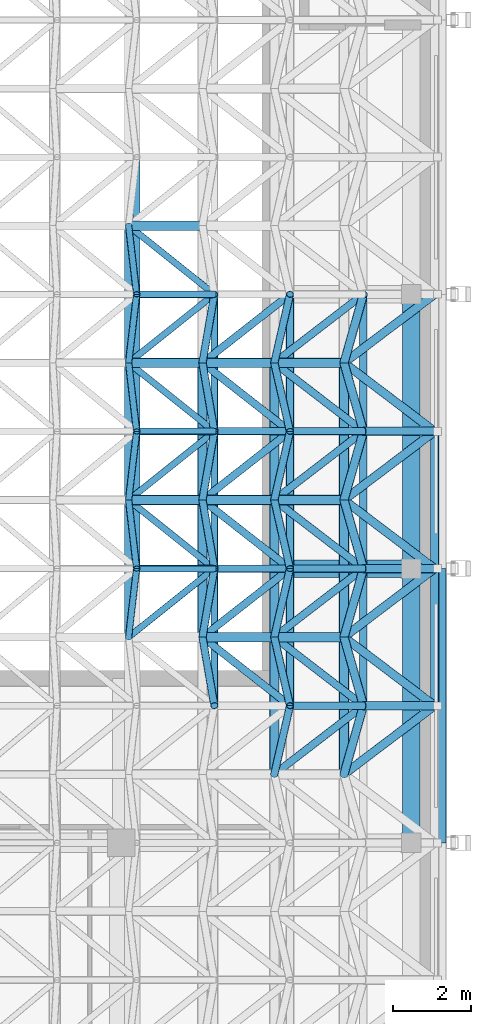
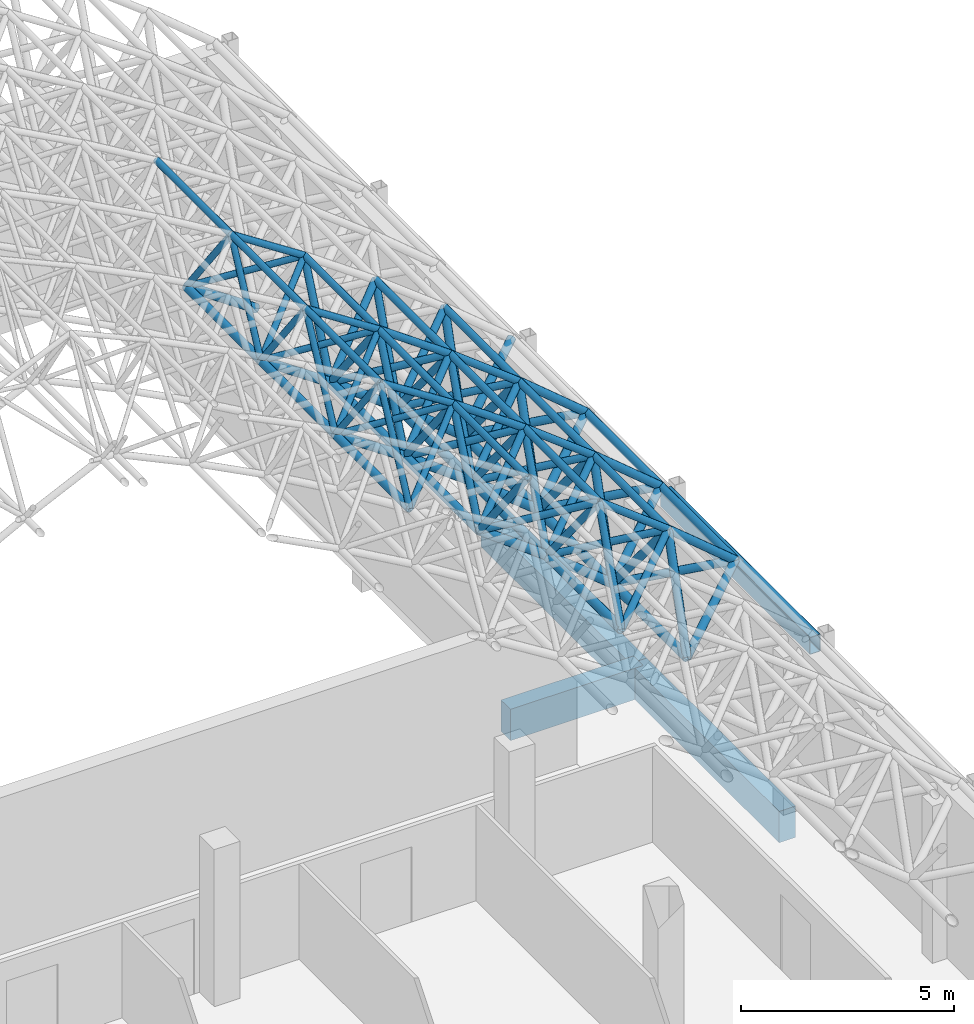
# One storey, part 49 of 141: 97 members, 4 beams.
"""IFC4 building model written with IfcOpenShell, lengths in metres."""

from ifc_helpers import new_model, si_unit, direction, frame, origin, origin_2d, place, context, subcontext, project, spatial, rectangle, hollow_rectangle, hollow_circle, extrude, material, material_profile, profile_set, type_object, element, save


model = new_model("IFC4")

# Units and contexts
model_context = context("Model", 3, precision=1e-05, world=origin(), true_north=direction((0.0, 1.0)))
body_context = subcontext(model_context, "Body", "Model", "MODEL_VIEW")
ifc_project = project(units=[si_unit("LENGTHUNIT", "METRE"), si_unit("AREAUNIT", "SQUARE_METRE"), si_unit("VOLUMEUNIT", "CUBIC_METRE"), si_unit("PLANEANGLEUNIT", "RADIAN"), si_unit("MASSUNIT", "GRAM", prefix="KILO")], contexts=[model_context])

# Site, building, storey
site_placement = place(None, origin())
site = spatial("IfcSite", under=ifc_project, at=site_placement, CompositionType="ELEMENT")
building_placement = place(site_placement, origin())
building = spatial("IfcBuilding", under=site, at=building_placement, Name="Lantern Court Media Centre", CompositionType="ELEMENT")
storey_placement = place(building_placement, frame((0.0, 0.0, 9.60009765625)))
storey = spatial("IfcBuildingStorey", under=building, at=storey_placement, Name="L02", CompositionType="ELEMENT", Elevation=9.60009765625)

# Beams
ifc_material_1 = material(Name="Concrete C35", Category="concrete")
ifc_material_profile_1 = material_profile(ifc_material_1, rectangle(XDim=0.449951171875, YDim=0.89990234375, at=origin_2d()), Name="RC 450x900")
ifc_profile_set_1 = profile_set([ifc_material_profile_1], Name="Concrete C35")
beam_type_1 = type_object("IfcBeamType", Name="RC BEAM 450x900", PredefinedType="BEAM", material=ifc_profile_set_1)
beam_1_placement = place(storey_placement, frame((99.800048828125, 19.0, -0.4501953125), z_axis=(1.0, 0.0, 0.0), x_axis=(0.0, 1.0, 0.0)))
element("IfcBeam", 1, at=beam_1_placement, inside=storey, type_object=beam_type_1, Name="HB-V2-L02-FX3-3", PredefinedType="BEAM", context=body_context, shape_type="SweptSolid", body=[
    extrude(rectangle(XDim=0.449951171875, YDim=0.89990234375, at=origin_2d()), origin(), (0.0, 0.0, 1.0), 3.599853515625),
])
for number, where, z_axis, x_axis, name in (
    (2, (103.39990234375, 12.0, -0.4501953125), (0.0, 1.0, 0.0), (-1.0, 0.0, 0.0), "HB-V2-L02-FY4-2"),
    (3, (103.39990234375, 19.0, -0.4501953125), (0.0, 1.0, 0.0), (-1.0, 0.0, 0.0), "HB-V2-L02-FY4-3"),
):
    element("IfcBeam", number, at=place(storey_placement, frame(where, z_axis=z_axis, x_axis=x_axis)), inside=storey, type_object=beam_type_1, Name=name, PredefinedType="BEAM", context=body_context, shape_type="SweptSolid", body=[
        extrude(rectangle(XDim=0.449951171875, YDim=0.89990234375, at=origin_2d()), origin(), (0.0, 0.0, 1.0), 7.0),
    ])

# Members
ifc_material_2 = material(Name="Steel S355J2 (EN 10025-2)", Category="steel")
ifc_material_profile_2 = material_profile(ifc_material_2, hollow_circle(Radius=0.109619140625, WallThickness=0.010009765625, at=origin_2d()), Name="Studio Hall bottom CHS 219.1x10")
ifc_profile_set_2 = profile_set([ifc_material_profile_2], Name="Steel S355J2 (EN 10025-2)")
member_type_1 = type_object("IfcMemberType", Name="Studio Hall bottom CHS 219.1x10", PredefinedType="CHORD", material=ifc_profile_set_2)
for number, where, z_axis, x_axis, name in (
    (4, (96.19091796875, 17.25, 7.953125), (0.0, 1.0, 0.0), (-1.0, 0.0, 0.0), "Studio Hall bottom chord 13-06"),
    (5, (96.19091796875, 20.75, 7.953125), (0.0, 1.0, 0.0), (-1.0, 0.0, 0.0), "Studio Hall bottom chord 13-07"),
    (6, (96.19091796875, 24.25, 7.953125), (0.0, 1.0, 0.0), (-1.0, 0.0, 0.0), "Studio Hall bottom chord 13-08"),
):
    element("IfcMember", number, at=place(storey_placement, frame(where, z_axis=z_axis, x_axis=x_axis)), inside=storey, type_object=member_type_1, Name=name, PredefinedType="CHORD", context=body_context, shape_type="SweptSolid", body=[
        extrude(hollow_circle(Radius=0.109619140625, WallThickness=0.010009765625, at=origin_2d()), origin(), (0.0, 0.0, 1.0), 3.5),
    ])
ifc_material_profile_3 = material_profile(ifc_material_2, hollow_circle(Radius=0.122314453125, WallThickness=0.012451171875, at=origin_2d()), Name="Studio Hall bottom CHS 244.5x12.5")
ifc_profile_set_3 = profile_set([ifc_material_profile_3], Name="Steel S355J2 (EN 10025-2)")
member_type_2 = type_object("IfcMemberType", Name="Studio Hall bottom CHS 244.5x12.5", PredefinedType="CHORD", material=ifc_profile_set_3)
for number, where, z_axis, x_axis, name in (
    (7, (98.076171875, 17.25, 6.66845703125), (0.0, 1.0, 0.0), (-1.0, 0.0, 0.0), "Studio Hall bottom chord 14-06"),
    (8, (98.076171875, 20.75, 6.66845703125), (0.0, 1.0, 0.0), (-1.0, 0.0, 0.0), "Studio Hall bottom chord 14-07"),
):
    element("IfcMember", number, at=place(storey_placement, frame(where, z_axis=z_axis, x_axis=x_axis)), inside=storey, type_object=member_type_2, Name=name, PredefinedType="CHORD", context=body_context, shape_type="SweptSolid", body=[
        extrude(hollow_circle(Radius=0.122314453125, WallThickness=0.012451171875, at=origin_2d()), origin(), (0.0, 0.0, 1.0), 3.5),
    ])
for number, where, z_axis, x_axis, name in (
    (9, (96.19091796875, 20.75, 7.953125), (0.826376743552, 0.0, -0.563117641099), (0.0, 1.0, 0.0), "Studio Hall bottom chord 13-07 across"),
    (10, (96.19091796875, 24.25, 7.953125), (0.826376743552, 0.0, -0.563117641099), (0.0, 1.0, 0.0), "Studio Hall bottom chord 13-08 across"),
    (11, (96.19091796875, 27.75, 7.953125), (0.826376743552, 0.0, -0.563117641099), (0.0, 1.0, 0.0), "Studio Hall bottom chord 13-09 across"),
):
    element("IfcMember", number, at=place(storey_placement, frame(where, z_axis=z_axis, x_axis=x_axis)), inside=storey, type_object=member_type_2, Name=name, PredefinedType="CHORD", context=body_context, shape_type="SweptSolid", body=[
        extrude(hollow_circle(Radius=0.122314453125, WallThickness=0.012451171875, at=origin_2d()), origin(), (0.0, 0.0, 1.0), 2.28125),
    ])
ifc_material_profile_4 = material_profile(ifc_material_2, hollow_circle(Radius=0.122314453125, WallThickness=0.01611328125, at=origin_2d()), Name="Studio Hall bottom CHS 244.5x16")
ifc_profile_set_4 = profile_set([ifc_material_profile_4], Name="Steel S355J2 (EN 10025-2)")
member_type_3 = type_object("IfcMemberType", Name="Studio Hall bottom CHS 244.5x16", PredefinedType="CHORD", material=ifc_profile_set_4)
for number, where, z_axis, x_axis, name in (
    (12, (99.909423828125, 13.75, 5.310546875), (0.0, 1.0, 0.0), (-1.0, 0.0, 0.0), "Studio Hall bottom chord 15-05"),
    (13, (99.909423828125, 17.25, 5.310546875), (0.0, 1.0, 0.0), (-1.0, 0.0, 0.0), "Studio Hall bottom chord 15-06"),
    (14, (99.909423828125, 20.75, 5.310546875), (0.0, 1.0, 0.0), (-1.0, 0.0, 0.0), "Studio Hall bottom chord 15-07"),
):
    element("IfcMember", number, at=place(storey_placement, frame(where, z_axis=z_axis, x_axis=x_axis)), inside=storey, type_object=member_type_3, Name=name, PredefinedType="CHORD", context=body_context, shape_type="SweptSolid", body=[
        extrude(hollow_circle(Radius=0.122314453125, WallThickness=0.01611328125, at=origin_2d()), origin(), (0.0, 0.0, 1.0), 3.5),
    ])
for number, where, z_axis, x_axis, name in (
    (15, (98.076171875, 17.25, 6.66845703125), (0.803568567589, 0.0, -0.59521219509), (0.0, 1.0, 0.0), "Studio Hall bottom chord 14-06 across"),
    (16, (98.076171875, 20.75, 6.66845703125), (0.803568567589, 0.0, -0.59521219509), (0.0, 1.0, 0.0), "Studio Hall bottom chord 14-07 across"),
    (17, (98.076171875, 24.25, 6.66845703125), (0.803568567589, 0.0, -0.59521219509), (0.0, 1.0, 0.0), "Studio Hall bottom chord 14-08 across"),
):
    element("IfcMember", number, at=place(storey_placement, frame(where, z_axis=z_axis, x_axis=x_axis)), inside=storey, type_object=member_type_3, Name=name, PredefinedType="CHORD", context=body_context, shape_type="SweptSolid", body=[
        extrude(hollow_circle(Radius=0.122314453125, WallThickness=0.01611328125, at=origin_2d()), origin(), (0.0, 0.0, 1.0), 2.281494140625),
    ])
ifc_material_profile_5 = material_profile(ifc_material_2, hollow_circle(Radius=0.122314453125, WallThickness=0.02001953125, at=origin_2d()), Name="Studio Hall bottom CHS 244.5x20")
ifc_profile_set_5 = profile_set([ifc_material_profile_5], Name="Steel S355J2 (EN 10025-2)")
member_type_4 = type_object("IfcMemberType", Name="Studio Hall bottom CHS 244.5x20", PredefinedType="CHORD", material=ifc_profile_set_5)
for number, where, z_axis, x_axis, name in (
    (18, (101.6875, 13.75, 3.881591796875), (0.0, 1.0, 0.0), (-1.0, 0.0, 0.0), "Studio Hall bottom chord 16-05"),
    (19, (101.6875, 17.25, 3.881591796875), (0.0, 1.0, 0.0), (-1.0, 0.0, 0.0), "Studio Hall bottom chord 16-06"),
    (20, (101.6875, 20.75, 3.881591796875), (0.0, 1.0, 0.0), (-1.0, 0.0, 0.0), "Studio Hall bottom chord 16-07"),
):
    element("IfcMember", number, at=place(storey_placement, frame(where, z_axis=z_axis, x_axis=x_axis)), inside=storey, type_object=member_type_4, Name=name, PredefinedType="CHORD", context=body_context, shape_type="SweptSolid", body=[
        extrude(hollow_circle(Radius=0.122314453125, WallThickness=0.02001953125, at=origin_2d()), origin(), (0.0, 0.0, 1.0), 3.5),
    ])
for number, where, z_axis, x_axis, name in (
    (21, (99.909423828125, 17.25, 5.310546875), (0.779478138425, 0.0, -0.626429430757), (0.0, 1.0, 0.0), "Studio Hall bottom chord 15-06 across"),
    (22, (99.909423828125, 20.75, 5.310546875), (0.779478138425, 0.0, -0.626429430757), (0.0, 1.0, 0.0), "Studio Hall bottom chord 15-07 across"),
    (23, (99.909423828125, 24.25, 5.310546875), (0.779478138425, 0.0, -0.626429430757), (0.0, 1.0, 0.0), "Studio Hall bottom chord 15-08 across"),
):
    element("IfcMember", number, at=place(storey_placement, frame(where, z_axis=z_axis, x_axis=x_axis)), inside=storey, type_object=member_type_4, Name=name, PredefinedType="CHORD", context=body_context, shape_type="SweptSolid", body=[
        extrude(hollow_circle(Radius=0.122314453125, WallThickness=0.02001953125, at=origin_2d()), origin(), (0.0, 0.0, 1.0), 2.281005859375),
    ])
ifc_material_profile_6 = material_profile(ifc_material_2, hollow_circle(Radius=0.084228515625, WallThickness=0.008056640625, at=origin_2d()), Name="Studio Hall diagonal CHS 168.3x8")
ifc_profile_set_6 = profile_set([ifc_material_profile_6], Name="Steel S355J2 (EN 10025-2)")
member_type_5 = type_object("IfcMemberType", Name="Studio Hall diagonal CHS 168.3x8", PredefinedType="BRACE", material=ifc_profile_set_6)
for number, where, z_axis, x_axis, name in (
    (24, (96.19091796875, 17.25, 7.953125), (0.719205791884, 0.57530042587, 0.38957983638), (-0.624652537065, 0.780902815937, 0.0), "Studio Hall diagonal 13-06-3"),
    (25, (96.19091796875, 17.25, 7.953125), (0.067256187735, 0.575289204878, 0.815180308865), (-0.993235466132, 0.116117650756, 0.0), "Studio Hall diagonal 13-06-4"),
    (26, (96.19091796875, 20.75, 7.953125), (0.067256187735, -0.575289204878, 0.815180308865), (0.993235466132, 0.116117650756, 0.0), "Studio Hall diagonal 13-07-1"),
    (27, (96.19091796875, 20.75, 7.953125), (0.719205791884, -0.57530042587, 0.38957983638), (0.624652537065, 0.780902815937, 0.0), "Studio Hall diagonal 13-07-2"),
    (28, (96.19091796875, 20.75, 7.953125), (0.719205791884, 0.57530042587, 0.38957983638), (-0.624652537065, 0.780902815937, 0.0), "Studio Hall diagonal 13-07-3"),
    (29, (96.19091796875, 20.75, 7.953125), (0.067256187735, 0.575289204878, 0.815180308865), (-0.993235466132, 0.116117650756, 0.0), "Studio Hall diagonal 13-07-4"),
    (30, (96.19091796875, 24.25, 7.953125), (0.067256187735, -0.575289204878, 0.815180308865), (0.993235466132, 0.116117650756, 0.0), "Studio Hall diagonal 13-08-1"),
    (31, (96.19091796875, 24.25, 7.953125), (0.719205791884, -0.57530042587, 0.38957983638), (0.624652537065, 0.780902815937, 0.0), "Studio Hall diagonal 13-08-2"),
    (32, (96.19091796875, 24.25, 7.953125), (0.719205791884, 0.57530042587, 0.38957983638), (-0.624652537065, 0.780902815937, 0.0), "Studio Hall diagonal 13-08-3"),
    (33, (96.19091796875, 24.25, 7.953125), (0.067256187735, 0.575289204878, 0.815180308865), (-0.993235466132, 0.116117650756, 0.0), "Studio Hall diagonal 13-08-4"),
    (34, (96.19091796875, 27.75, 7.953125), (0.067256187735, -0.575289204878, 0.815180308865), (0.993235466132, 0.116117650756, 0.0), "Studio Hall diagonal 13-09-1"),
    (35, (96.19091796875, 27.75, 7.953125), (0.719205791884, -0.57530042587, 0.38957983638), (0.624652537065, 0.780902815937, 0.0), "Studio Hall diagonal 13-09-2"),
):
    element("IfcMember", number, at=place(storey_placement, frame(where, z_axis=z_axis, x_axis=x_axis)), inside=storey, type_object=member_type_5, Name=name, PredefinedType="BRACE", context=body_context, shape_type="SweptSolid", body=[
        extrude(hollow_circle(Radius=0.084228515625, WallThickness=0.008056640625, at=origin_2d()), origin(), (0.0, 0.0, 1.0), 3.0419921875),
    ])
ifc_material_profile_7 = material_profile(ifc_material_2, hollow_circle(Radius=0.096923828125, WallThickness=0.010009765625, at=origin_2d()), Name="Studio Hall diagonal CHS 193.7x10")
ifc_profile_set_7 = profile_set([ifc_material_profile_7], Name="Steel S355J2 (EN 10025-2)")
member_type_6 = type_object("IfcMemberType", Name="Studio Hall diagonal CHS 193.7x10", PredefinedType="BRACE", material=ifc_profile_set_7)
for number, where, z_axis, x_axis, name in (
    (36, (99.909423828125, 13.75, 5.310546875), (0.747676961141, 0.575284291269, 0.331703400644), (-0.609809429153, 0.792548080634, 0.0), "Studio Hall diagonal 15-05-3"),
    (37, (99.909423828125, 13.75, 5.310546875), (0.13137534314, 0.575258680284, 0.807352444706), (-0.97489985117, 0.222643841569, 0.0), "Studio Hall diagonal 15-05-4"),
    (38, (99.909423828125, 17.25, 5.310546875), (0.13137534314, -0.575258680284, 0.807352444706), (0.97489985117, 0.222643841569, 0.0), "Studio Hall diagonal 15-06-1"),
    (39, (99.909423828125, 17.25, 5.310546875), (0.747676961141, -0.575284291269, 0.331703400644), (0.609809429153, 0.792548080634, 0.0), "Studio Hall diagonal 15-06-2"),
    (40, (99.909423828125, 17.25, 5.310546875), (0.747676961141, 0.575284291269, 0.331703400644), (-0.609809429153, 0.792548080634, 0.0), "Studio Hall diagonal 15-06-3"),
    (41, (99.909423828125, 17.25, 5.310546875), (0.13137534314, 0.575258680284, 0.807352444706), (-0.97489985117, 0.222643841569, 0.0), "Studio Hall diagonal 15-06-4"),
    (42, (99.909423828125, 20.75, 5.310546875), (0.13137534314, -0.575258680284, 0.807352444706), (0.97489985117, 0.222643841569, 0.0), "Studio Hall diagonal 15-07-1"),
    (43, (99.909423828125, 20.75, 5.310546875), (0.747676961141, -0.575284291269, 0.331703400644), (0.609809429153, 0.792548080634, 0.0), "Studio Hall diagonal 15-07-2"),
    (44, (99.909423828125, 20.75, 5.310546875), (0.747676961141, 0.575284291269, 0.331703400644), (-0.609809429153, 0.792548080634, 0.0), "Studio Hall diagonal 15-07-3"),
    (45, (99.909423828125, 20.75, 5.310546875), (0.13137534314, 0.575258680284, 0.807352444706), (-0.97489985117, 0.222643841569, 0.0), "Studio Hall diagonal 15-07-4"),
    (46, (99.909423828125, 24.25, 5.310546875), (0.13137534314, -0.575258680284, 0.807352444706), (0.97489985117, 0.222643841569, 0.0), "Studio Hall diagonal 15-08-1"),
    (47, (99.909423828125, 24.25, 5.310546875), (0.747676961141, -0.575284291269, 0.331703400644), (0.609809429153, 0.792548080634, 0.0), "Studio Hall diagonal 15-08-2"),
    (48, (99.909423828125, 24.25, 5.310546875), (0.747676961141, 0.575284291269, 0.331703400644), (-0.609809429153, 0.792548080634, 0.0), "Studio Hall diagonal 15-08-3"),
    (49, (99.909423828125, 24.25, 5.310546875), (0.13137534314, 0.575258680284, 0.807352444706), (-0.97489985117, 0.222643841569, 0.0), "Studio Hall diagonal 15-08-4"),
):
    element("IfcMember", number, at=place(storey_placement, frame(where, z_axis=z_axis, x_axis=x_axis)), inside=storey, type_object=member_type_6, Name=name, PredefinedType="BRACE", context=body_context, shape_type="SweptSolid", body=[
        extrude(hollow_circle(Radius=0.096923828125, WallThickness=0.010009765625, at=origin_2d()), origin(), (0.0, 0.0, 1.0), 3.0419921875),
    ])
ifc_material_profile_8 = material_profile(ifc_material_2, hollow_circle(Radius=0.096923828125, WallThickness=0.008056640625, at=origin_2d()), Name="Studio Hall diagonal CHS 193.7x8")
ifc_profile_set_8 = profile_set([ifc_material_profile_8], Name="Steel S355J2 (EN 10025-2)")
member_type_7 = type_object("IfcMemberType", Name="Studio Hall diagonal CHS 193.7x8", PredefinedType="BRACE", material=ifc_profile_set_8)
for number, where, z_axis, x_axis, name in (
    (50, (98.076171875, 17.25, 6.66845703125), (0.099439098635, -0.575286084759, 0.811885328323), (0.985387799185, 0.170325820758, 0.0), "Studio Hall diagonal 14-06-1"),
    (51, (98.076171875, 17.25, 6.66845703125), (0.734005385991, -0.57526247614, 0.360983624118), (0.616855729008, 0.787076241282, 0.0), "Studio Hall diagonal 14-06-2"),
    (52, (98.076171875, 17.25, 6.66845703125), (0.734005385991, 0.57526247614, 0.360983624118), (-0.616855729008, 0.787076241282, 0.0), "Studio Hall diagonal 14-06-3"),
    (53, (98.076171875, 17.25, 6.66845703125), (0.099439098635, 0.575286084759, 0.811885328323), (-0.985387799185, 0.170325820758, 0.0), "Studio Hall diagonal 14-06-4"),
    (54, (98.076171875, 20.75, 6.66845703125), (0.099439098635, -0.575286084759, 0.811885328323), (0.985387799185, 0.170325820758, 0.0), "Studio Hall diagonal 14-07-1"),
    (55, (98.076171875, 20.75, 6.66845703125), (0.734005385991, -0.57526247614, 0.360983624118), (0.616855729008, 0.787076241282, 0.0), "Studio Hall diagonal 14-07-2"),
    (56, (98.076171875, 20.75, 6.66845703125), (0.734005385991, 0.57526247614, 0.360983624118), (-0.616855729008, 0.787076241282, 0.0), "Studio Hall diagonal 14-07-3"),
    (57, (98.076171875, 20.75, 6.66845703125), (0.099439098635, 0.575286084759, 0.811885328323), (-0.985387799185, 0.170325820758, 0.0), "Studio Hall diagonal 14-07-4"),
    (58, (98.076171875, 24.25, 6.66845703125), (0.099439098635, -0.575286084759, 0.811885328323), (0.985387799185, 0.170325820758, 0.0), "Studio Hall diagonal 14-08-1"),
    (59, (98.076171875, 24.25, 6.66845703125), (0.734005385991, -0.57526247614, 0.360983624118), (0.616855729008, 0.787076241282, 0.0), "Studio Hall diagonal 14-08-2"),
    (60, (98.076171875, 24.25, 6.66845703125), (0.734005385991, 0.57526247614, 0.360983624118), (-0.616855729008, 0.787076241282, 0.0), "Studio Hall diagonal 14-08-3"),
    (61, (98.076171875, 24.25, 6.66845703125), (0.099439098635, 0.575286084759, 0.811885328323), (-0.985387799185, 0.170325820758, 0.0), "Studio Hall diagonal 14-08-4"),
):
    element("IfcMember", number, at=place(storey_placement, frame(where, z_axis=z_axis, x_axis=x_axis)), inside=storey, type_object=member_type_7, Name=name, PredefinedType="BRACE", context=body_context, shape_type="SweptSolid", body=[
        extrude(hollow_circle(Radius=0.096923828125, WallThickness=0.008056640625, at=origin_2d()), origin(), (0.0, 0.0, 1.0), 3.0419921875),
    ])
ifc_material_profile_9 = material_profile(ifc_material_2, hollow_circle(Radius=0.109619140625, WallThickness=0.010009765625, at=origin_2d()), Name="Studio Hall diagonal CHS 219.1x10")
ifc_profile_set_9 = profile_set([ifc_material_profile_9], Name="Steel S355J2 (EN 10025-2)")
member_type_8 = type_object("IfcMemberType", Name="Studio Hall diagonal CHS 219.1x10", PredefinedType="BRACE", material=ifc_profile_set_9)
member_1_placement = place(storey_placement, frame((101.6875, 13.75, 3.881591796875), z_axis=(0.760210907984, 0.575294741177, 0.301853169862), x_axis=(-0.603442670186, 0.797406385602, 0.0)))
element("IfcMember", 62, at=member_1_placement, inside=storey, type_object=member_type_8, Name="Studio Hall diagonal 16-05-3", PredefinedType="BRACE", context=body_context, shape_type="SweptSolid", body=[
    extrude(hollow_circle(Radius=0.109619140625, WallThickness=0.010009765625, at=origin_2d()), origin(), (0.0, 0.0, 1.0), 3.0419921875),
])
for number, where, z_axis, x_axis, name in (
    (63, (101.6875, 13.75, 3.881591796875), (0.163171626005, 0.575314419679, 0.801491321835), (-0.962053941871, 0.2728593281, 0.0), "Studio Hall diagonal 16-05-4"),
    (64, (101.6875, 17.25, 3.881591796875), (0.163171626005, -0.575314419679, 0.801491321835), (0.962053941871, 0.2728593281, 0.0), "Studio Hall diagonal 16-06-1"),
):
    element("IfcMember", number, at=place(storey_placement, frame(where, z_axis=z_axis, x_axis=x_axis)), inside=storey, type_object=member_type_8, Name=name, PredefinedType="BRACE", context=body_context, shape_type="SweptSolid", body=[
        extrude(hollow_circle(Radius=0.109619140625, WallThickness=0.010009765625, at=origin_2d()), origin(), (0.0, 0.0, 1.0), 3.041748046875),
    ])
for number, where, z_axis, x_axis, name in (
    (65, (101.6875, 17.25, 3.881591796875), (0.760210907984, -0.575294741177, 0.301853169862), (0.603442670186, 0.797406385602, 0.0), "Studio Hall diagonal 16-06-2"),
    (66, (101.6875, 17.25, 3.881591796875), (0.760210907984, 0.575294741177, 0.301853169862), (-0.603442670186, 0.797406385602, 0.0), "Studio Hall diagonal 16-06-3"),
):
    element("IfcMember", number, at=place(storey_placement, frame(where, z_axis=z_axis, x_axis=x_axis)), inside=storey, type_object=member_type_8, Name=name, PredefinedType="BRACE", context=body_context, shape_type="SweptSolid", body=[
        extrude(hollow_circle(Radius=0.109619140625, WallThickness=0.010009765625, at=origin_2d()), origin(), (0.0, 0.0, 1.0), 3.0419921875),
    ])
for number, where, z_axis, x_axis, name in (
    (67, (101.6875, 17.25, 3.881591796875), (0.163171626005, 0.575314419679, 0.801491321835), (-0.962053941871, 0.2728593281, 0.0), "Studio Hall diagonal 16-06-4"),
    (68, (101.6875, 20.75, 3.881591796875), (0.163171626005, -0.575314419679, 0.801491321835), (0.962053941871, 0.2728593281, 0.0), "Studio Hall diagonal 16-07-1"),
):
    element("IfcMember", number, at=place(storey_placement, frame(where, z_axis=z_axis, x_axis=x_axis)), inside=storey, type_object=member_type_8, Name=name, PredefinedType="BRACE", context=body_context, shape_type="SweptSolid", body=[
        extrude(hollow_circle(Radius=0.109619140625, WallThickness=0.010009765625, at=origin_2d()), origin(), (0.0, 0.0, 1.0), 3.041748046875),
    ])
for number, where, z_axis, x_axis, name in (
    (69, (101.6875, 20.75, 3.881591796875), (0.760210907984, -0.575294741177, 0.301853169862), (0.603442670186, 0.797406385602, 0.0), "Studio Hall diagonal 16-07-2"),
    (70, (101.6875, 20.75, 3.881591796875), (0.760210907984, 0.575294741177, 0.301853169862), (-0.603442670186, 0.797406385602, 0.0), "Studio Hall diagonal 16-07-3"),
):
    element("IfcMember", number, at=place(storey_placement, frame(where, z_axis=z_axis, x_axis=x_axis)), inside=storey, type_object=member_type_8, Name=name, PredefinedType="BRACE", context=body_context, shape_type="SweptSolid", body=[
        extrude(hollow_circle(Radius=0.109619140625, WallThickness=0.010009765625, at=origin_2d()), origin(), (0.0, 0.0, 1.0), 3.0419921875),
    ])
for number, where, z_axis, x_axis, name in (
    (71, (101.6875, 20.75, 3.881591796875), (0.163171626005, 0.575314419679, 0.801491321835), (-0.962053941871, 0.2728593281, 0.0), "Studio Hall diagonal 16-07-4"),
    (72, (101.6875, 24.25, 3.881591796875), (0.163171626005, -0.575314419679, 0.801491321835), (0.962053941871, 0.2728593281, 0.0), "Studio Hall diagonal 16-08-1"),
):
    element("IfcMember", number, at=place(storey_placement, frame(where, z_axis=z_axis, x_axis=x_axis)), inside=storey, type_object=member_type_8, Name=name, PredefinedType="BRACE", context=body_context, shape_type="SweptSolid", body=[
        extrude(hollow_circle(Radius=0.109619140625, WallThickness=0.010009765625, at=origin_2d()), origin(), (0.0, 0.0, 1.0), 3.041748046875),
    ])
for number, where, z_axis, x_axis, name in (
    (73, (101.6875, 24.25, 3.881591796875), (0.760210907984, -0.575294741177, 0.301853169862), (0.603442670186, 0.797406385602, 0.0), "Studio Hall diagonal 16-08-2"),
    (74, (101.6875, 24.25, 3.881591796875), (0.760210907984, 0.575294741177, 0.301853169862), (-0.603442670186, 0.797406385602, 0.0), "Studio Hall diagonal 16-08-3"),
):
    element("IfcMember", number, at=place(storey_placement, frame(where, z_axis=z_axis, x_axis=x_axis)), inside=storey, type_object=member_type_8, Name=name, PredefinedType="BRACE", context=body_context, shape_type="SweptSolid", body=[
        extrude(hollow_circle(Radius=0.109619140625, WallThickness=0.010009765625, at=origin_2d()), origin(), (0.0, 0.0, 1.0), 3.0419921875),
    ])
member_2_placement = place(storey_placement, frame((101.6875, 24.25, 3.881591796875), z_axis=(0.163171626005, 0.575314419679, 0.801491321835), x_axis=(-0.962053941871, 0.2728593281, 0.0)))
element("IfcMember", 75, at=member_2_placement, inside=storey, type_object=member_type_8, Name="Studio Hall diagonal 16-08-4", PredefinedType="BRACE", context=body_context, shape_type="SweptSolid", body=[
    extrude(hollow_circle(Radius=0.109619140625, WallThickness=0.010009765625, at=origin_2d()), origin(), (0.0, 0.0, 1.0), 3.041748046875),
])

# Beam
ifc_material_profile_10 = material_profile(ifc_material_2, hollow_rectangle(XDim=0.300048828125, YDim=0.5, WallThickness=0.01611328125, InnerFilletRadius=0.01611328125, OuterFilletRadius=0.02392578125, at=origin_2d()), Name="Studio Hall edge girder RHS 500x300x16")
ifc_profile_set_10 = profile_set([ifc_material_profile_10], Name="Steel S355J2 (EN 10025-2)")
beam_type_2 = type_object("IfcBeamType", Name="Studio Hall edge girder RHS 500x300x16", PredefinedType="BEAM", material=ifc_profile_set_10)
beam_2_placement = place(storey_placement, frame((104.14990234375, 12.0, 4.449951171875), z_axis=(0.0, 1.0, 0.0), x_axis=(-1.0, 0.0, 0.0)))
element("IfcBeam", 76, at=beam_2_placement, inside=storey, type_object=beam_type_2, Name="Studio Hall edge girder east 3", PredefinedType="BEAM", context=body_context, shape_type="SweptSolid", body=[
    extrude(hollow_rectangle(XDim=0.300048828125, YDim=0.5, WallThickness=0.01611328125, InnerFilletRadius=0.01611328125, OuterFilletRadius=0.02392578125, at=origin_2d()), origin(), (0.0, 0.0, 1.0), 7.0),
])

# Members
ifc_material_profile_11 = material_profile(ifc_material_2, hollow_circle(Radius=0.0888671875, WallThickness=0.010009765625, at=origin_2d()), Name="Studio Hall top CHS 177.8x10")
ifc_profile_set_11 = profile_set([ifc_material_profile_11], Name="Steel S355J2 (EN 10025-2)")
member_type_9 = type_object("IfcMemberType", Name="Studio Hall top CHS 177.8x10", PredefinedType="CHORD", material=ifc_profile_set_11)
for number, where, z_axis, x_axis, name in (
    (77, (98.378662109375, 15.5, 9.13818359375), (0.0, 1.0, 0.0), (-1.0, 0.0, 0.0), "Studio Hall top chord 14-06"),
    (78, (98.378662109375, 19.0, 9.13818359375), (0.0, 1.0, 0.0), (-1.0, 0.0, 0.0), "Studio Hall top chord 14-07"),
    (79, (98.378662109375, 22.5, 9.13818359375), (0.0, 1.0, 0.0), (-1.0, 0.0, 0.0), "Studio Hall top chord 14-08"),
):
    element("IfcMember", number, at=place(storey_placement, frame(where, z_axis=z_axis, x_axis=x_axis)), inside=storey, type_object=member_type_9, Name=name, PredefinedType="CHORD", context=body_context, shape_type="SweptSolid", body=[
        extrude(hollow_circle(Radius=0.0888671875, WallThickness=0.010009765625, at=origin_2d()), origin(), (0.0, 0.0, 1.0), 3.5),
    ])
for number, where, z_axis, x_axis, name in (
    (80, (96.3955078125, 19.0, 10.432861328125), (0.837356212506, 0.0, -0.546657638178), (0.0, 1.0, 0.0), "Studio Hall top chord 13-07 across"),
    (81, (96.3955078125, 22.5, 10.432861328125), (0.837356212506, 0.0, -0.546657638178), (0.0, 1.0, 0.0), "Studio Hall top chord 13-08 across"),
    (82, (96.3955078125, 26.0, 10.432861328125), (0.837356212506, 0.0, -0.546657638178), (0.0, 1.0, 0.0), "Studio Hall top chord 13-09 across"),
):
    element("IfcMember", number, at=place(storey_placement, frame(where, z_axis=z_axis, x_axis=x_axis)), inside=storey, type_object=member_type_9, Name=name, PredefinedType="CHORD", context=body_context, shape_type="SweptSolid", body=[
        extrude(hollow_circle(Radius=0.0888671875, WallThickness=0.010009765625, at=origin_2d()), origin(), (0.0, 0.0, 1.0), 2.368408203125),
    ])
ifc_material_profile_12 = material_profile(ifc_material_2, hollow_circle(Radius=0.0888671875, WallThickness=0.008056640625, at=origin_2d()), Name="Studio Hall top CHS 177.8x8")
ifc_profile_set_12 = profile_set([ifc_material_profile_12], Name="Steel S355J2 (EN 10025-2)")
member_type_10 = type_object("IfcMemberType", Name="Studio Hall top CHS 177.8x8", PredefinedType="CHORD", material=ifc_profile_set_12)
for number, where, z_axis, x_axis, name in (
    (83, (96.3955078125, 19.0, 10.432861328125), (0.0, 1.0, 0.0), (-1.0, 0.0, 0.0), "Studio Hall top chord 13-07"),
    (84, (96.3955078125, 22.5, 10.432861328125), (0.0, 1.0, 0.0), (-1.0, 0.0, 0.0), "Studio Hall top chord 13-08"),
    (85, (96.3955078125, 26.0, 10.432861328125), (0.0, 1.0, 0.0), (-1.0, 0.0, 0.0), "Studio Hall top chord 13-09"),
):
    element("IfcMember", number, at=place(storey_placement, frame(where, z_axis=z_axis, x_axis=x_axis)), inside=storey, type_object=member_type_10, Name=name, PredefinedType="CHORD", context=body_context, shape_type="SweptSolid", body=[
        extrude(hollow_circle(Radius=0.0888671875, WallThickness=0.008056640625, at=origin_2d()), origin(), (0.0, 0.0, 1.0), 3.5),
    ])
ifc_material_profile_13 = material_profile(ifc_material_2, hollow_circle(Radius=0.096923828125, WallThickness=0.010009765625, at=origin_2d()), Name="Studio Hall top CHS 193.7x10")
ifc_profile_set_13 = profile_set([ifc_material_profile_13], Name="Steel S355J2 (EN 10025-2)")
member_type_11 = type_object("IfcMemberType", Name="Studio Hall top CHS 193.7x10", PredefinedType="CHORD", material=ifc_profile_set_13)
for number, where, z_axis, x_axis, name in (
    (86, (100.30908203125, 15.5, 7.7666015625), (0.0, 1.0, 0.0), (-1.0, 0.0, 0.0), "Studio Hall top chord 15-06"),
    (87, (100.30908203125, 19.0, 7.7666015625), (0.0, 1.0, 0.0), (-1.0, 0.0, 0.0), "Studio Hall top chord 15-07"),
    (88, (100.30908203125, 22.5, 7.7666015625), (0.0, 1.0, 0.0), (-1.0, 0.0, 0.0), "Studio Hall top chord 15-08"),
):
    element("IfcMember", number, at=place(storey_placement, frame(where, z_axis=z_axis, x_axis=x_axis)), inside=storey, type_object=member_type_11, Name=name, PredefinedType="CHORD", context=body_context, shape_type="SweptSolid", body=[
        extrude(hollow_circle(Radius=0.096923828125, WallThickness=0.010009765625, at=origin_2d()), origin(), (0.0, 0.0, 1.0), 3.5),
    ])
for number, where, z_axis, x_axis, name in (
    (89, (98.378662109375, 19.0, 9.13818359375), (0.815186813221, 0.0, -0.579198117703), (0.0, 1.0, 0.0), "Studio Hall top chord 14-07 across"),
    (90, (98.378662109375, 22.5, 9.13818359375), (0.815186813221, 0.0, -0.579198117703), (0.0, 1.0, 0.0), "Studio Hall top chord 14-08 across"),
):
    element("IfcMember", number, at=place(storey_placement, frame(where, z_axis=z_axis, x_axis=x_axis)), inside=storey, type_object=member_type_11, Name=name, PredefinedType="CHORD", context=body_context, shape_type="SweptSolid", body=[
        extrude(hollow_circle(Radius=0.096923828125, WallThickness=0.010009765625, at=origin_2d()), origin(), (0.0, 0.0, 1.0), 2.3681640625),
    ])
ifc_material_profile_14 = material_profile(ifc_material_2, hollow_circle(Radius=0.096923828125, WallThickness=0.012451171875, at=origin_2d()), Name="Studio Hall top CHS 193.7x12.5")
ifc_profile_set_14 = profile_set([ifc_material_profile_14], Name="Steel S355J2 (EN 10025-2)")
member_type_12 = type_object("IfcMemberType", Name="Studio Hall top CHS 193.7x12.5", PredefinedType="CHORD", material=ifc_profile_set_14)
for number, where, z_axis, x_axis, name in (
    (91, (102.183837890625, 15.5, 6.319580078125), (0.0, 1.0, 0.0), (-1.0, 0.0, 0.0), "Studio Hall top chord 16-06"),
    (92, (102.183837890625, 19.0, 6.319580078125), (0.0, 1.0, 0.0), (-1.0, 0.0, 0.0), "Studio Hall top chord 16-07"),
    (93, (102.183837890625, 22.5, 6.319580078125), (0.0, 1.0, 0.0), (-1.0, 0.0, 0.0), "Studio Hall top chord 16-08"),
):
    element("IfcMember", number, at=place(storey_placement, frame(where, z_axis=z_axis, x_axis=x_axis)), inside=storey, type_object=member_type_12, Name=name, PredefinedType="CHORD", context=body_context, shape_type="SweptSolid", body=[
        extrude(hollow_circle(Radius=0.096923828125, WallThickness=0.012451171875, at=origin_2d()), origin(), (0.0, 0.0, 1.0), 3.5),
    ])
for number, where, z_axis, x_axis, name in (
    (94, (100.30908203125, 15.5, 7.7666015625), (0.791622688111, 0.0, -0.611010245141), (0.0, 1.0, 0.0), "Studio Hall top chord 15-06 across"),
    (95, (100.30908203125, 19.0, 7.7666015625), (0.791622688111, 0.0, -0.611010245141), (0.0, 1.0, 0.0), "Studio Hall top chord 15-07 across"),
    (96, (100.30908203125, 22.5, 7.7666015625), (0.791622688111, 0.0, -0.611010245141), (0.0, 1.0, 0.0), "Studio Hall top chord 15-08 across"),
):
    element("IfcMember", number, at=place(storey_placement, frame(where, z_axis=z_axis, x_axis=x_axis)), inside=storey, type_object=member_type_12, Name=name, PredefinedType="CHORD", context=body_context, shape_type="SweptSolid", body=[
        extrude(hollow_circle(Radius=0.096923828125, WallThickness=0.012451171875, at=origin_2d()), origin(), (0.0, 0.0, 1.0), 2.3681640625),
    ])
ifc_material_profile_15 = material_profile(ifc_material_2, hollow_circle(Radius=0.109619140625, WallThickness=0.012451171875, at=origin_2d()), Name="Studio Hall top CHS 219.1x12.5")
ifc_profile_set_15 = profile_set([ifc_material_profile_15], Name="Steel S355J2 (EN 10025-2)")
member_type_13 = type_object("IfcMemberType", Name="Studio Hall top CHS 219.1x12.5", PredefinedType="CHORD", material=ifc_profile_set_15)
for number, where, z_axis, x_axis, name in (
    (97, (104.0, 15.5, 4.7998046875), (0.0, 1.0, 0.0), (-1.0, 0.0, 0.0), "Studio Hall top chord 17-06"),
    (98, (104.0, 19.0, 4.7998046875), (0.0, 1.0, 0.0), (-1.0, 0.0, 0.0), "Studio Hall top chord 17-07"),
):
    element("IfcMember", number, at=place(storey_placement, frame(where, z_axis=z_axis, x_axis=x_axis)), inside=storey, type_object=member_type_13, Name=name, PredefinedType="CHORD", context=body_context, shape_type="SweptSolid", body=[
        extrude(hollow_circle(Radius=0.109619140625, WallThickness=0.012451171875, at=origin_2d()), origin(), (0.0, 0.0, 1.0), 3.5),
    ])
for number, where, z_axis, x_axis, name in (
    (99, (102.183837890625, 15.5, 6.319580078125), (0.766909881815, 0.0, -0.641754807675), (0.0, 1.0, 0.0), "Studio Hall top chord 16-06 across"),
    (100, (102.183837890625, 19.0, 6.319580078125), (0.766909881815, 0.0, -0.641754807675), (0.0, 1.0, 0.0), "Studio Hall top chord 16-07 across"),
    (101, (102.183837890625, 22.5, 6.319580078125), (0.766909881815, 0.0, -0.641754807675), (0.0, 1.0, 0.0), "Studio Hall top chord 16-08 across"),
):
    element("IfcMember", number, at=place(storey_placement, frame(where, z_axis=z_axis, x_axis=x_axis)), inside=storey, type_object=member_type_13, Name=name, PredefinedType="CHORD", context=body_context, shape_type="SweptSolid", body=[
        extrude(hollow_circle(Radius=0.109619140625, WallThickness=0.012451171875, at=origin_2d()), origin(), (0.0, 0.0, 1.0), 2.3681640625),
    ])

save(model, "model.ifc")
